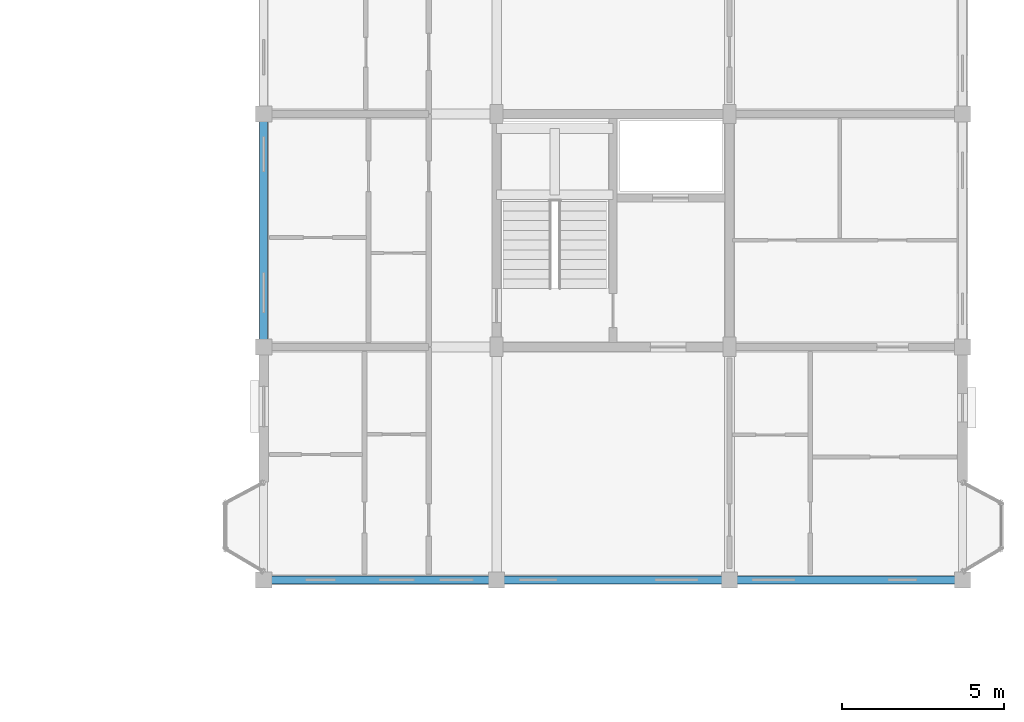
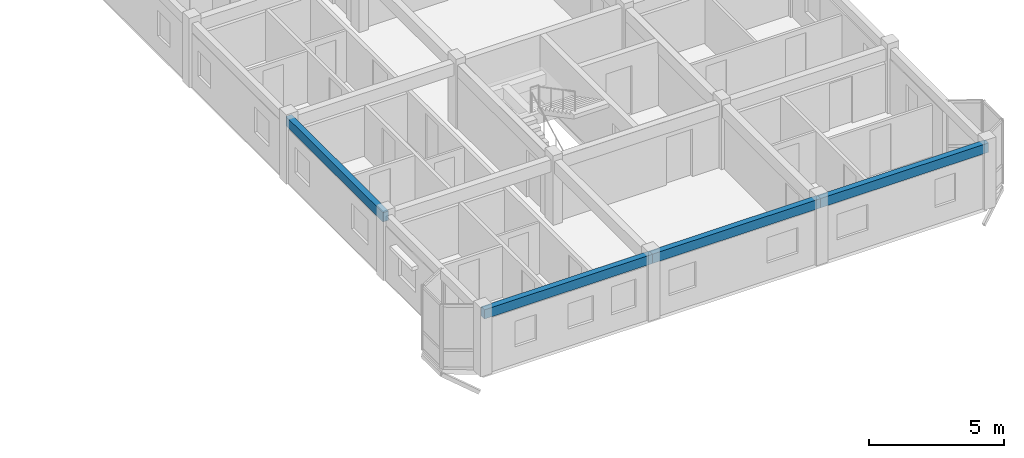
# One storey, part 20 of 65: 4 beams.
"""IFC4 building model written with IfcOpenShell, lengths in metres."""

from ifc_helpers import new_model, si_unit, direction, frame, origin, origin_2d, place, context, subcontext, project, spatial, rectangle, extrude, material, material_profile, profile_set, type_object, element, save


model = new_model("IFC4")

# Units and contexts
model_context = context("Model", 3, precision=1e-05, world=origin(), true_north=direction((0.0, 1.0)))
body_context = subcontext(model_context, "Body", "Model", "MODEL_VIEW")
ifc_project = project(units=[si_unit("LENGTHUNIT", "METRE"), si_unit("AREAUNIT", "SQUARE_METRE"), si_unit("VOLUMEUNIT", "CUBIC_METRE"), si_unit("PLANEANGLEUNIT", "RADIAN"), si_unit("MASSUNIT", "GRAM", prefix="KILO"), si_unit("THERMODYNAMICTEMPERATUREUNIT", "KELVIN"), si_unit("POWERUNIT", "WATT")], contexts=[model_context])

# Site, building, storey
site_placement = place(None, origin())
site = spatial("IfcSite", under=ifc_project, at=site_placement, CompositionType="ELEMENT")
building_placement = place(site_placement, origin())
building = spatial("IfcBuilding", under=site, at=building_placement, Name="Tavuni Mirador Residences", CompositionType="ELEMENT")
storey_placement = place(building_placement, frame((0.0, 0.0, 29.699951171875)))
storey = spatial("IfcBuildingStorey", under=building, at=storey_placement, Name="L09", CompositionType="ELEMENT", Elevation=29.699951171875)

# Beams
ifc_material = material(Name="Precast concrete C40/50", Category="concrete")
ifc_material_profile = material_profile(ifc_material, rectangle(XDim=0.25, YDim=0.419921875, at=origin_2d()), Name="PC 250x420", Category="concrete")
ifc_profile_set = profile_set([ifc_material_profile], Name="Precast concrete C40/50")
beam_type = type_object("IfcBeamType", Name="BT-SP420", PredefinedType="SPANDREL", material=ifc_profile_set)
beam_1_placement = place(storey_placement, frame((97.199951171875, 86.39990234375, 2.679931640625), z_axis=(1.0, 0.0, 0.0), x_axis=(0.0, 1.0, 0.0)))
element("IfcBeam", 1, at=beam_1_placement, inside=storey, type_object=beam_type, Name="BMX-BLK-D-L09-00-00", PredefinedType="SPANDREL", context=body_context, shape_type="SweptSolid", body=[
    extrude(rectangle(XDim=0.25, YDim=0.419921875, at=origin_2d()), origin(), (0.0, 0.0, 1.0), 7.199951171875),
])
beam_2_placement = place(storey_placement, frame((104.39990234375, 86.39990234375, 2.679931640625), z_axis=(1.0, 0.0, 0.0), x_axis=(0.0, 1.0, 0.0)))
element("IfcBeam", 2, at=beam_2_placement, inside=storey, type_object=beam_type, Name="BMX-BLK-D-L09-01-00", PredefinedType="SPANDREL", context=body_context, shape_type="SweptSolid", body=[
    extrude(rectangle(XDim=0.25, YDim=0.419921875, at=origin_2d()), origin(), (0.0, 0.0, 1.0), 7.2001953125),
])
for number, where, z_axis, x_axis, name in (
    (3, (111.60009765625, 86.39990234375, 2.679931640625), (1.0, 0.0, 0.0), (0.0, 1.0, 0.0), "BMX-BLK-D-L09-02-00"),
    (4, (97.199951171875, 93.60009765625, 2.679931640625), (0.0, 1.0, 0.0), (-1.0, 0.0, 0.0), "BMY-BLK-D-L09-00-01"),
):
    element("IfcBeam", number, at=place(storey_placement, frame(where, z_axis=z_axis, x_axis=x_axis)), inside=storey, type_object=beam_type, Name=name, PredefinedType="SPANDREL", context=body_context, shape_type="SweptSolid", body=[
        extrude(rectangle(XDim=0.25, YDim=0.419921875, at=origin_2d()), origin(), (0.0, 0.0, 1.0), 7.199951171875),
    ])

save(model, "model.ifc")
